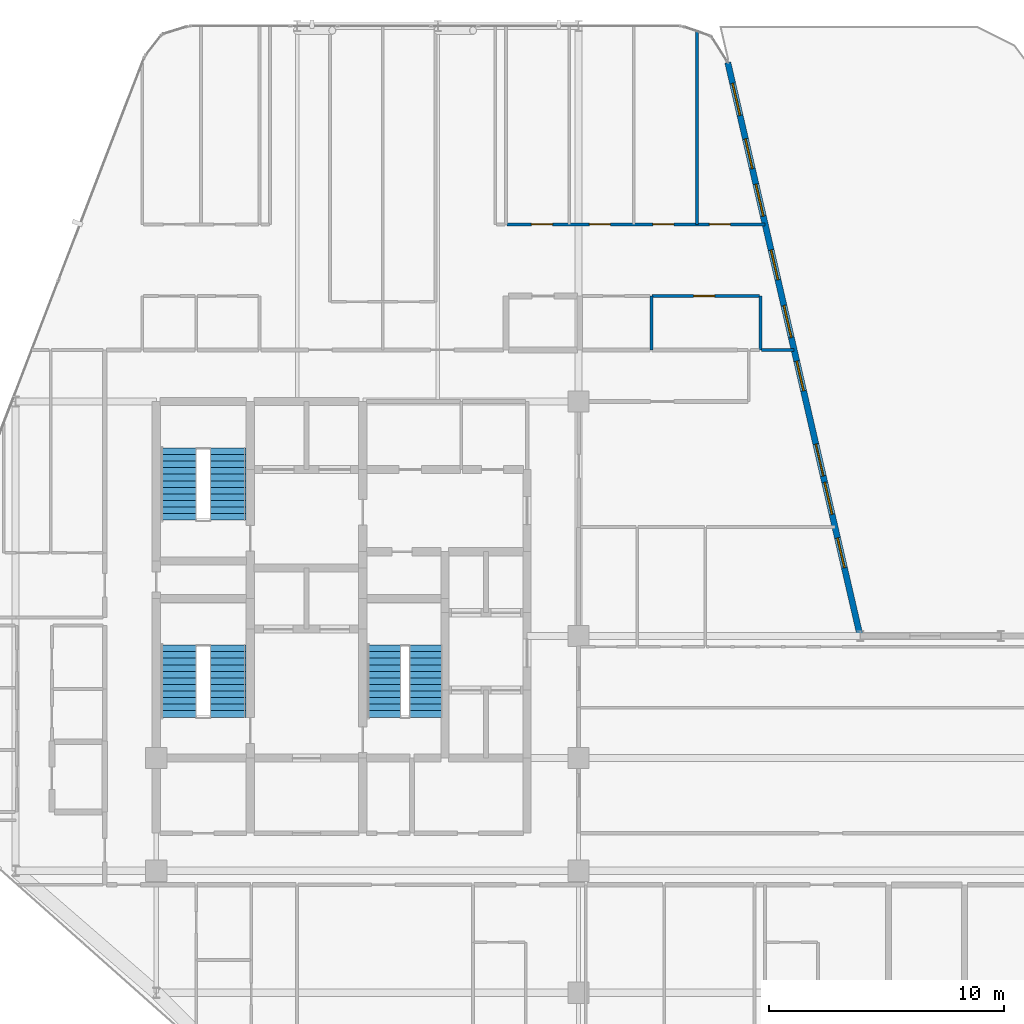
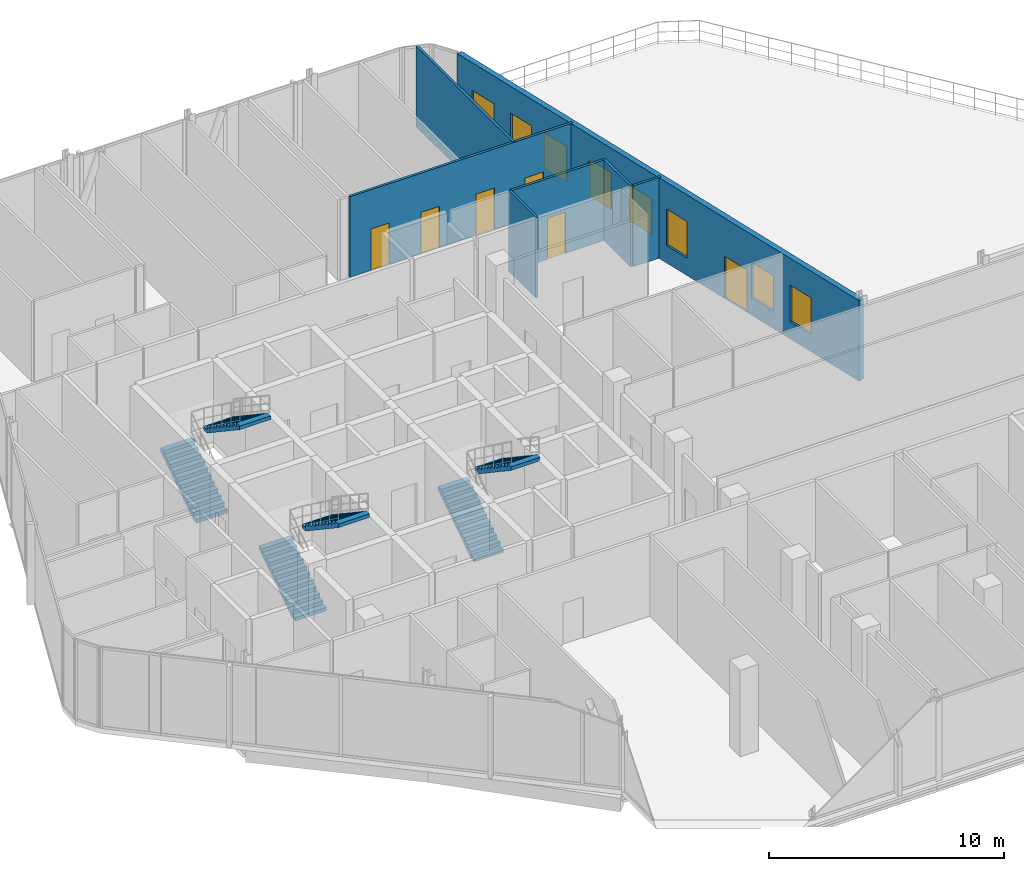
# One storey, part 26 of 28: 8 windows, 7 walls, 6 doors, 6 stair flights, 14 openings, 3 elements without a shape of their own.
"""IFC4 building model written with IfcOpenShell, lengths in metres."""

from ifc_helpers import new_model, si_unit, direction, frame, frame_2d, origin, place, context, subcontext, project, spatial, polyline, rectangle, outline, extrude, material, layer, layer_set, type_object, element, fill, aggregate, save


model = new_model("IFC4")

# Units and contexts
model_context = context("Model", 3, precision=1e-05, world=origin(), true_north=direction((0.0, 1.0)))
body_context = subcontext(model_context, "Body", "Model", "MODEL_VIEW")
ifc_project = project(units=[si_unit("LENGTHUNIT", "METRE"), si_unit("AREAUNIT", "SQUARE_METRE"), si_unit("VOLUMEUNIT", "CUBIC_METRE"), si_unit("PLANEANGLEUNIT", "RADIAN"), si_unit("MASSUNIT", "GRAM", prefix="KILO")], contexts=[model_context])

# Site, building, storey
site_placement = place(None, origin())
site = spatial("IfcSite", under=ifc_project, at=site_placement, CompositionType="ELEMENT")
building_placement = place(site_placement, origin())
building = spatial("IfcBuilding", under=site, at=building_placement, Name="Keshet Zoharim Tower", CompositionType="ELEMENT")
storey_placement = place(building_placement, frame((0.0, 0.0, 164.60009765625)))
storey = spatial("IfcBuildingStorey", under=building, at=storey_placement, Name="L40", CompositionType="ELEMENT", Elevation=164.60009765625)

# Wall, openings, door, windows
ifc_material_1 = material(Name="Concrete C50/60 precast", Category="concrete")
ifc_layer_1 = layer(ifc_material_1, 0.260009765625)
ifc_layer_set_1 = layer_set([ifc_layer_1], Name="Concrete C50/60 precast")
wall_type_1 = type_object("IfcWallType", Name="WL-EXT-260", PredefinedType="STANDARD", material=ifc_layer_set_1)
wall_1_placement = place(storey_placement, frame((39.35791015625, 52.35009765625, 0.0), z_axis=(0.0, 0.0, 1.0), x_axis=(0.224849558511, -0.974393491377, 0.0)))
wall_1 = element("IfcWall", 1, at=wall_1_placement, inside=storey, type_object=wall_type_1, Name="L40 Exterior Facade Wall 01", PredefinedType="STANDARD", context=body_context, shape_type="SweptSolid", body=[
    extrude(rectangle(XDim=25.0927734375, YDim=0.260009765625, at=frame_2d((12.54638671875, 0.0))), origin(), (0.0, 0.0, 1.0), 4.18994140625),
])
opening_1_placement = place(wall_1_placement, frame((16.68896484375, 0.0, 0.0)))
opening_1 = element("IfcOpeningElement", 2, at=opening_1_placement, cuts=wall_1, Name="Opening D-TR14", PredefinedType="OPENING", context=body_context, shape_type="SweptSolid", body=[
    extrude(rectangle(XDim=1.39990234375, YDim=2.199951171875, at=frame_2d((0.699951171875, 1.10009765625))), frame((0.0, 0.14013671875, 0.0), z_axis=(0.0, -1.0, 0.0), x_axis=(1.0, 0.0, 0.0)), (0.0, 0.0, 1.0), 0.280029296875),
])
opening_2_placement = place(wall_1_placement, frame((0.9150390625, 0.0, 0.89990234375)))
opening_2 = element("IfcOpeningElement", 3, at=opening_2_placement, cuts=wall_1, Name="Opening W-140", PredefinedType="OPENING", context=body_context, shape_type="SweptSolid", body=[
    extrude(rectangle(XDim=1.39990234375, YDim=1.85009765625, at=frame_2d((0.699951171875, 0.925048828125))), frame((0.0, 0.14013671875, 0.0), z_axis=(0.0, -1.0, 0.0), x_axis=(1.0, 0.0, 0.0)), (0.0, 0.0, 1.0), 0.280029296875),
])
opening_3_placement = place(wall_1_placement, frame((3.343994140625, 0.0, 0.89990234375)))
opening_3 = element("IfcOpeningElement", 4, at=opening_3_placement, cuts=wall_1, Name="Opening W-130", PredefinedType="OPENING", context=body_context, shape_type="SweptSolid", body=[
    extrude(rectangle(XDim=1.300048828125, YDim=1.89990234375, at=frame_2d((0.64990234375, 0.949951171875))), frame((0.0, 0.14013671875, 0.0), z_axis=(0.0, -1.0, 0.0), x_axis=(1.0, 0.0, 0.0)), (0.0, 0.0, 1.0), 0.280029296875),
])
opening_4_placement = place(wall_1_placement, frame((5.322998046875, 0.0, 0.89990234375)))
opening_4 = element("IfcOpeningElement", 5, at=opening_4_placement, cuts=wall_1, Name="Opening W-140", PredefinedType="OPENING", context=body_context, shape_type="SweptSolid", body=[
    extrude(rectangle(XDim=1.39990234375, YDim=1.85009765625, at=frame_2d((0.699951171875, 0.925048828125))), frame((0.0, 0.14013671875, 0.0), z_axis=(0.0, -1.0, 0.0), x_axis=(1.0, 0.0, 0.0)), (0.0, 0.0, 1.0), 0.280029296875),
])
opening_5_placement = place(wall_1_placement, frame((8.201904296875, 0.0, 0.89990234375)))
opening_5 = element("IfcOpeningElement", 6, at=opening_5_placement, cuts=wall_1, Name="Opening W-130", PredefinedType="OPENING", context=body_context, shape_type="SweptSolid", body=[
    extrude(rectangle(XDim=1.300048828125, YDim=1.89990234375, at=frame_2d((0.64990234375, 0.949951171875))), frame((0.0, 0.14013671875, 0.0), z_axis=(0.0, -1.0, 0.0), x_axis=(1.0, 0.0, 0.0)), (0.0, 0.0, 1.0), 0.280029296875),
])
opening_6_placement = place(wall_1_placement, frame((10.632080078125, 0.0, 0.89990234375)))
opening_6 = element("IfcOpeningElement", 7, at=opening_6_placement, cuts=wall_1, Name="Opening W-140", PredefinedType="OPENING", context=body_context, shape_type="SweptSolid", body=[
    extrude(rectangle(XDim=1.39990234375, YDim=1.85009765625, at=frame_2d((0.699951171875, 0.925048828125))), frame((0.0, 0.14013671875, 0.0), z_axis=(0.0, -1.0, 0.0), x_axis=(1.0, 0.0, 0.0)), (0.0, 0.0, 1.0), 0.280029296875),
])
opening_7_placement = place(wall_1_placement, frame((13.06103515625, 0.0, 0.89990234375)))
opening_7 = element("IfcOpeningElement", 8, at=opening_7_placement, cuts=wall_1, Name="Opening W-130", PredefinedType="OPENING", context=body_context, shape_type="SweptSolid", body=[
    extrude(rectangle(XDim=1.300048828125, YDim=1.89990234375, at=frame_2d((0.64990234375, 0.949951171875))), frame((0.0, 0.14013671875, 0.0), z_axis=(0.0, -1.0, 0.0), x_axis=(1.0, 0.0, 0.0)), (0.0, 0.0, 1.0), 0.280029296875),
])
opening_8_placement = place(wall_1_placement, frame((18.368896484375, 0.0, 0.89990234375)))
opening_8 = element("IfcOpeningElement", 9, at=opening_8_placement, cuts=wall_1, Name="Opening W-140", PredefinedType="OPENING", context=body_context, shape_type="SweptSolid", body=[
    extrude(rectangle(XDim=1.39990234375, YDim=1.85009765625, at=frame_2d((0.699951171875, 0.925048828125))), frame((0.0, 0.14013671875, 0.0), z_axis=(0.0, -1.0, 0.0), x_axis=(1.0, 0.0, 0.0)), (0.0, 0.0, 1.0), 0.280029296875),
])
opening_9_placement = place(wall_1_placement, frame((20.799072265625, 0.0, 0.89990234375)))
opening_9 = element("IfcOpeningElement", 10, at=opening_9_placement, cuts=wall_1, Name="Opening W-130", PredefinedType="OPENING", context=body_context, shape_type="SweptSolid", body=[
    extrude(rectangle(XDim=1.300048828125, YDim=1.89990234375, at=frame_2d((0.64990234375, 0.949951171875))), frame((0.0, 0.14013671875, 0.0), z_axis=(0.0, -1.0, 0.0), x_axis=(1.0, 0.0, 0.0)), (0.0, 0.0, 1.0), 0.280029296875),
])
ifc_material_2 = material(Name="Aluminium 6063-T6", Category="aluminium")
door_type_1 = type_object("IfcDoorType", Name="DR-TER-140", OperationType="DOUBLE_DOOR_SINGLE_SWING", PredefinedType="DOOR", material=ifc_material_2)
door_1_placement = place(opening_1_placement, origin())
door_1 = element("IfcDoor", 11, at=door_1_placement, inside=storey, type_object=door_type_1, Name="L40 Sky Terrace Access Door 01", OperationType="DOUBLE_DOOR_SINGLE_SWING", OverallHeight=2.199951171875, OverallWidth=1.39990234375, PredefinedType="DOOR", context=body_context, shape_type="SweptSolid", body=[
    extrude(rectangle(XDim=1.39990234375, YDim=2.199951171875, at=frame_2d((0.699951171875, 1.10009765625))), frame((0.0, 0.02490234375, 0.0), z_axis=(0.0, -1.0, 0.0), x_axis=(1.0, 0.0, 0.0)), (0.0, 0.0, 1.0), 0.050048828125),
])
fill(opening_1, door_1)
ifc_material_3 = material(Name="Insulated Low-E Clear Glass", Category="glass")
window_type_1 = type_object("IfcWindowType", Name="WN-CRN-130", PartitioningType="SINGLE_PANEL", PredefinedType="WINDOW", material=ifc_material_3)
window_1_placement = place(opening_3_placement, origin())
window_1 = element("IfcWindow", 12, at=window_1_placement, inside=storey, type_object=window_type_1, Name="L40 Terrace Side Window 02", OverallHeight=1.89990234375, OverallWidth=1.300048828125, PartitioningType="SINGLE_PANEL", PredefinedType="WINDOW", context=body_context, shape_type="SweptSolid", body=[
    extrude(rectangle(XDim=1.300048828125, YDim=1.89990234375, at=frame_2d((0.64990234375, 0.949951171875))), frame((0.0, 0.030029296875, 0.0), z_axis=(0.0, -1.0, 0.0), x_axis=(1.0, 0.0, 0.0)), (0.0, 0.0, 1.0), 0.06005859375),
])
fill(opening_3, window_1)
window_2_placement = place(opening_5_placement, origin())
window_2 = element("IfcWindow", 13, at=window_2_placement, inside=storey, type_object=window_type_1, Name="L40 Terrace Side Window 04", OverallHeight=1.89990234375, OverallWidth=1.300048828125, PartitioningType="SINGLE_PANEL", PredefinedType="WINDOW", context=body_context, shape_type="SweptSolid", body=[
    extrude(rectangle(XDim=1.300048828125, YDim=1.89990234375, at=frame_2d((0.64990234375, 0.949951171875))), frame((0.0, 0.030029296875, 0.0), z_axis=(0.0, -1.0, 0.0), x_axis=(1.0, 0.0, 0.0)), (0.0, 0.0, 1.0), 0.06005859375),
])
fill(opening_5, window_2)
window_3_placement = place(opening_7_placement, origin())
window_3 = element("IfcWindow", 14, at=window_3_placement, inside=storey, type_object=window_type_1, Name="L40 Terrace Side Window 06", OverallHeight=1.89990234375, OverallWidth=1.300048828125, PartitioningType="SINGLE_PANEL", PredefinedType="WINDOW", context=body_context, shape_type="SweptSolid", body=[
    extrude(rectangle(XDim=1.300048828125, YDim=1.89990234375, at=frame_2d((0.64990234375, 0.949951171875))), frame((0.0, 0.030029296875, 0.0), z_axis=(0.0, -1.0, 0.0), x_axis=(1.0, 0.0, 0.0)), (0.0, 0.0, 1.0), 0.06005859375),
])
fill(opening_7, window_3)
window_4_placement = place(opening_9_placement, origin())
window_4 = element("IfcWindow", 15, at=window_4_placement, inside=storey, type_object=window_type_1, Name="L40 Terrace Side Window 08", OverallHeight=1.89990234375, OverallWidth=1.300048828125, PartitioningType="SINGLE_PANEL", PredefinedType="WINDOW", context=body_context, shape_type="SweptSolid", body=[
    extrude(rectangle(XDim=1.300048828125, YDim=1.89990234375, at=frame_2d((0.64990234375, 0.949951171875))), frame((0.0, 0.030029296875, 0.0), z_axis=(0.0, -1.0, 0.0), x_axis=(1.0, 0.0, 0.0)), (0.0, 0.0, 1.0), 0.06005859375),
])
fill(opening_9, window_4)
window_type_2 = type_object("IfcWindowType", Name="WN-TER-140", PartitioningType="SINGLE_PANEL", PredefinedType="WINDOW", material=ifc_material_3)
window_5_placement = place(opening_2_placement, origin())
window_5 = element("IfcWindow", 16, at=window_5_placement, inside=storey, type_object=window_type_2, Name="L40 Terrace Side Window 01", OverallHeight=1.85009765625, OverallWidth=1.39990234375, PartitioningType="SINGLE_PANEL", PredefinedType="WINDOW", context=body_context, shape_type="SweptSolid", body=[
    extrude(rectangle(XDim=1.39990234375, YDim=1.85009765625, at=frame_2d((0.699951171875, 0.925048828125))), frame((0.0, 0.030029296875, 0.0), z_axis=(0.0, -1.0, 0.0), x_axis=(1.0, 0.0, 0.0)), (0.0, 0.0, 1.0), 0.06005859375),
])
fill(opening_2, window_5)
window_6_placement = place(opening_4_placement, origin())
window_6 = element("IfcWindow", 17, at=window_6_placement, inside=storey, type_object=window_type_2, Name="L40 Terrace Side Window 03", OverallHeight=1.85009765625, OverallWidth=1.39990234375, PartitioningType="SINGLE_PANEL", PredefinedType="WINDOW", context=body_context, shape_type="SweptSolid", body=[
    extrude(rectangle(XDim=1.39990234375, YDim=1.85009765625, at=frame_2d((0.699951171875, 0.925048828125))), frame((0.0, 0.030029296875, 0.0), z_axis=(0.0, -1.0, 0.0), x_axis=(1.0, 0.0, 0.0)), (0.0, 0.0, 1.0), 0.06005859375),
])
fill(opening_4, window_6)
window_7_placement = place(opening_6_placement, origin())
window_7 = element("IfcWindow", 18, at=window_7_placement, inside=storey, type_object=window_type_2, Name="L40 Terrace Side Window 05", OverallHeight=1.85009765625, OverallWidth=1.39990234375, PartitioningType="SINGLE_PANEL", PredefinedType="WINDOW", context=body_context, shape_type="SweptSolid", body=[
    extrude(rectangle(XDim=1.39990234375, YDim=1.85009765625, at=frame_2d((0.699951171875, 0.925048828125))), frame((0.0, 0.030029296875, 0.0), z_axis=(0.0, -1.0, 0.0), x_axis=(1.0, 0.0, 0.0)), (0.0, 0.0, 1.0), 0.06005859375),
])
fill(opening_6, window_7)
window_8_placement = place(opening_8_placement, origin())
window_8 = element("IfcWindow", 19, at=window_8_placement, inside=storey, type_object=window_type_2, Name="L40 Terrace Side Window 07", OverallHeight=1.85009765625, OverallWidth=1.39990234375, PartitioningType="SINGLE_PANEL", PredefinedType="WINDOW", context=body_context, shape_type="SweptSolid", body=[
    extrude(rectangle(XDim=1.39990234375, YDim=1.85009765625, at=frame_2d((0.699951171875, 0.925048828125))), frame((0.0, 0.030029296875, 0.0), z_axis=(0.0, -1.0, 0.0), x_axis=(1.0, 0.0, 0.0)), (0.0, 0.0, 1.0), 0.06005859375),
])
fill(opening_8, window_8)

# Walls
ifc_material_4 = material(Name="Gypsum Plasterboard", Category="gypsum")
ifc_layer_2 = layer(ifc_material_4, 0.1201171875)
ifc_layer_set_2 = layer_set([ifc_layer_2], Name="Gypsum Plasterboard")
wall_type_2 = type_object("IfcWallType", Name="WL-PART-120", PredefinedType="PARTITIONING", material=ifc_layer_set_2)
wall_2_placement = place(storey_placement, frame((38.050048828125, 45.449951171875, 0.0), z_axis=(0.0, 0.0, 1.0), x_axis=(0.0, 1.0, 0.0)))
element("IfcWall", 20, at=wall_2_placement, inside=storey, type_object=wall_type_2, Name="L40 Interior Wall 081", PredefinedType="PARTITIONING", context=body_context, shape_type="SweptSolid", body=[
    extrude(rectangle(XDim=8.216064453125, YDim=0.1201171875, at=frame_2d((4.10791015625, 0.0))), origin(), (0.0, 0.0, 1.0), 4.18994140625),
])
wall_3_placement = place(storey_placement, frame((40.75, 40.10009765625, 0.0), z_axis=(0.0, 0.0, 1.0), x_axis=(0.0, 1.0, 0.0)))
element("IfcWall", 21, at=wall_3_placement, inside=storey, type_object=wall_type_2, Name="L40 Interior Wall 087", PredefinedType="PARTITIONING", context=body_context, shape_type="SweptSolid", body=[
    extrude(rectangle(XDim=2.2998046875, YDim=0.1201171875, at=frame_2d((1.14990234375, 0.0))), origin(), (0.0, 0.0, 1.0), 4.18994140625),
])
wall_4_placement = place(storey_placement, frame((40.797119140625, 40.10009765625, 0.0), z_axis=(0.0, 0.0, 1.0), x_axis=(1.0, 0.0, 0.0)))
element("IfcWall", 22, at=wall_4_placement, inside=storey, type_object=wall_type_2, Name="L40 Interior Wall 188", PredefinedType="PARTITIONING", context=body_context, shape_type="SweptSolid", body=[
    extrude(rectangle(XDim=1.3779296875, YDim=0.1201171875, at=frame_2d((0.68896484375, 0.0))), origin(), (0.0, 0.0, 1.0), 4.18994140625),
])

# Wall, opening, door
wall_5_placement = place(storey_placement, frame((36.135009765625, 42.39990234375, 0.0), z_axis=(0.0, 0.0, 1.0), x_axis=(1.0, 0.0, 0.0)))
wall_5 = element("IfcWall", 23, at=wall_5_placement, inside=storey, type_object=wall_type_2, Name="L40 Interior Wall 194", PredefinedType="PARTITIONING", context=body_context, shape_type="SweptSolid", body=[
    extrude(rectangle(XDim=4.572021484375, YDim=0.1201171875, at=frame_2d((2.2861328125, 0.0))), origin(), (0.0, 0.0, 1.0), 4.18994140625),
])
opening_10_placement = place(wall_5_placement, frame((1.764892578125, 0.0, 0.0)))
opening_10 = element("IfcOpeningElement", 24, at=opening_10_placement, cuts=wall_5, Name="Opening D-IN90", PredefinedType="OPENING", context=body_context, shape_type="SweptSolid", body=[
    extrude(rectangle(XDim=0.89990234375, YDim=2.14990234375, at=frame_2d((0.449951171875, 1.074951171875))), frame((0.0, 0.070068359375, 0.0), z_axis=(0.0, -1.0, 0.0), x_axis=(1.0, 0.0, 0.0)), (0.0, 0.0, 1.0), 0.14013671875),
])
ifc_material_5 = material(Name="Hardwood Timber", Category="wood")
door_type_2 = type_object("IfcDoorType", Name="DR-INT-090", OperationType="NOTDEFINED", PredefinedType="DOOR", material=ifc_material_5)
door_2_placement = place(opening_10_placement, origin())
door_2 = element("IfcDoor", 25, at=door_2_placement, inside=storey, type_object=door_type_2, Name="Apartment 4005 Kitchen Door", OperationType="SINGLE_SWING_LEFT", OverallHeight=2.14990234375, OverallWidth=0.89990234375, PredefinedType="DOOR", context=body_context, shape_type="SweptSolid", body=[
    extrude(rectangle(XDim=0.89990234375, YDim=2.14990234375, at=frame_2d((0.449951171875, 1.074951171875))), frame((0.0, 0.02490234375, 0.0), z_axis=(0.0, -1.0, 0.0), x_axis=(1.0, 0.0, 0.0)), (0.0, 0.0, 1.0), 0.050048828125),
])
fill(opening_10, door_2)

# Wall, openings, doors
wall_6_placement = place(storey_placement, frame((29.955078125, 45.449951171875, 0.0), z_axis=(0.0, 0.0, 1.0), x_axis=(1.0, 0.0, 0.0)))
wall_6 = element("IfcWall", 26, at=wall_6_placement, inside=storey, type_object=wall_type_2, Name="L40 Interior Wall 198", PredefinedType="PARTITIONING", context=body_context, shape_type="SweptSolid", body=[
    extrude(rectangle(XDim=10.98486328125, YDim=0.1201171875, at=frame_2d((5.492431640625, 0.0))), origin(), (0.0, 0.0, 1.0), 4.18994140625),
])
opening_11_placement = place(wall_6_placement, frame((1.034912109375, 0.0, 0.0)))
opening_11 = element("IfcOpeningElement", 27, at=opening_11_placement, cuts=wall_6, Name="Opening D-IN90", PredefinedType="OPENING", context=body_context, shape_type="SweptSolid", body=[
    extrude(rectangle(XDim=0.89990234375, YDim=2.14990234375, at=frame_2d((0.449951171875, 1.074951171875))), frame((0.0, 0.070068359375, 0.0), z_axis=(0.0, -1.0, 0.0), x_axis=(1.0, 0.0, 0.0)), (0.0, 0.0, 1.0), 0.14013671875),
])
opening_12_placement = place(wall_6_placement, frame((3.498046875, 0.0, 0.0)))
opening_12 = element("IfcOpeningElement", 28, at=opening_12_placement, cuts=wall_6, Name="Opening D-IN90", PredefinedType="OPENING", context=body_context, shape_type="SweptSolid", body=[
    extrude(rectangle(XDim=0.89990234375, YDim=2.14990234375, at=frame_2d((0.449951171875, 1.074951171875))), frame((0.0, 0.070068359375, 0.0), z_axis=(0.0, -1.0, 0.0), x_axis=(1.0, 0.0, 0.0)), (0.0, 0.0, 1.0), 0.14013671875),
])
opening_13_placement = place(wall_6_placement, frame((6.2080078125, 0.0, 0.0)))
opening_13 = element("IfcOpeningElement", 29, at=opening_13_placement, cuts=wall_6, Name="Opening D-IN90", PredefinedType="OPENING", context=body_context, shape_type="SweptSolid", body=[
    extrude(rectangle(XDim=0.89990234375, YDim=2.14990234375, at=frame_2d((0.449951171875, 1.074951171875))), frame((0.0, 0.070068359375, 0.0), z_axis=(0.0, -1.0, 0.0), x_axis=(1.0, 0.0, 0.0)), (0.0, 0.0, 1.0), 0.14013671875),
])
opening_14_placement = place(wall_6_placement, frame((8.617919921875, 0.0, 0.0)))
opening_14 = element("IfcOpeningElement", 30, at=opening_14_placement, cuts=wall_6, Name="Opening D-IN90", PredefinedType="OPENING", context=body_context, shape_type="SweptSolid", body=[
    extrude(rectangle(XDim=0.89990234375, YDim=2.14990234375, at=frame_2d((0.449951171875, 1.074951171875))), frame((0.0, 0.070068359375, 0.0), z_axis=(0.0, -1.0, 0.0), x_axis=(1.0, 0.0, 0.0)), (0.0, 0.0, 1.0), 0.14013671875),
])
door_3_placement = place(opening_11_placement, origin())
door_3 = element("IfcDoor", 31, at=door_3_placement, inside=storey, type_object=door_type_2, Name="Apartment 4005 Bedroom 1 Door", OperationType="SINGLE_SWING_RIGHT", OverallHeight=2.14990234375, OverallWidth=0.89990234375, PredefinedType="DOOR", context=body_context, shape_type="SweptSolid", body=[
    extrude(rectangle(XDim=0.89990234375, YDim=2.14990234375, at=frame_2d((0.449951171875, 1.074951171875))), frame((0.0, 0.02490234375, 0.0), z_axis=(0.0, -1.0, 0.0), x_axis=(1.0, 0.0, 0.0)), (0.0, 0.0, 1.0), 0.050048828125),
])
fill(opening_11, door_3)
door_4_placement = place(opening_12_placement, origin())
door_4 = element("IfcDoor", 32, at=door_4_placement, inside=storey, type_object=door_type_2, Name="Apartment 4005 Bedroom 2 Door", OperationType="SINGLE_SWING_LEFT", OverallHeight=2.14990234375, OverallWidth=0.89990234375, PredefinedType="DOOR", context=body_context, shape_type="SweptSolid", body=[
    extrude(rectangle(XDim=0.89990234375, YDim=2.14990234375, at=frame_2d((0.449951171875, 1.074951171875))), frame((0.0, 0.02490234375, 0.0), z_axis=(0.0, -1.0, 0.0), x_axis=(1.0, 0.0, 0.0)), (0.0, 0.0, 1.0), 0.050048828125),
])
fill(opening_12, door_4)
door_5_placement = place(opening_13_placement, origin())
door_5 = element("IfcDoor", 33, at=door_5_placement, inside=storey, type_object=door_type_2, Name="Apartment 4005 Bedroom 3 Door", OperationType="SINGLE_SWING_RIGHT", OverallHeight=2.14990234375, OverallWidth=0.89990234375, PredefinedType="DOOR", context=body_context, shape_type="SweptSolid", body=[
    extrude(rectangle(XDim=0.89990234375, YDim=2.14990234375, at=frame_2d((0.449951171875, 1.074951171875))), frame((0.0, 0.02490234375, 0.0), z_axis=(0.0, -1.0, 0.0), x_axis=(1.0, 0.0, 0.0)), (0.0, 0.0, 1.0), 0.050048828125),
])
fill(opening_13, door_5)
door_6_placement = place(opening_14_placement, origin())
door_6 = element("IfcDoor", 34, at=door_6_placement, inside=storey, type_object=door_type_2, Name="Apartment 4005 Bedroom 4 Door", OperationType="SINGLE_SWING_LEFT", OverallHeight=2.14990234375, OverallWidth=0.89990234375, PredefinedType="DOOR", context=body_context, shape_type="SweptSolid", body=[
    extrude(rectangle(XDim=0.89990234375, YDim=2.14990234375, at=frame_2d((0.449951171875, 1.074951171875))), frame((0.0, 0.02490234375, 0.0), z_axis=(0.0, -1.0, 0.0), x_axis=(1.0, 0.0, 0.0)), (0.0, 0.0, 1.0), 0.050048828125),
])
fill(opening_14, door_6)

# Wall
ifc_layer_3 = layer(ifc_material_4, 0.1201171875)
ifc_layer_set_3 = layer_set([ifc_layer_3], Name="Gypsum Plasterboard")
wall_type_3 = type_object("IfcWallType", Name="WL-WET-120", PredefinedType="PARTITIONING", material=ifc_layer_set_3)
wall_7_placement = place(storey_placement, frame((36.10009765625, 40.10009765625, 0.0), z_axis=(0.0, 0.0, 1.0), x_axis=(0.0, 1.0, 0.0)))
element("IfcWall", 35, at=wall_7_placement, inside=storey, type_object=wall_type_3, Name="L40 Interior Wall 079", PredefinedType="PARTITIONING", context=body_context, shape_type="SweptSolid", body=[
    extrude(rectangle(XDim=2.2998046875, YDim=0.1201171875, at=frame_2d((1.14990234375, 0.0))), origin(), (0.0, 0.0, 1.0), 4.18994140625),
])

# Stair, stair flights
ifc_material_6 = material(Name="Concrete C50/60", Category="concrete")
stair_type = type_object("IfcStairType", Name="STR-EXIT-135", PredefinedType="HALF_TURN_STAIR", material=ifc_material_6)
stair_1_placement = place(storey_placement, origin())
stair_1 = element("IfcStair", 36, at=stair_1_placement, inside=storey, type_object=stair_type, Name="L40 Enclosed Exit Stair ST-01", PredefinedType="HALF_TURN_STAIR")
stair_flight_type_1 = type_object("IfcStairFlightType", Name="FLT-PRE-135", PredefinedType="STRAIGHT", material=ifc_material_6)
stair_flight_1_placement = place(storey_placement, frame((15.945068359375, 24.43994140625, 0.0), z_axis=(0.0, 0.0, 1.0), x_axis=(0.0, 1.0, 0.0)))
stair_flight_1 = element("IfcStairFlight", 37, at=stair_flight_1_placement, type_object=stair_flight_type_1, Name="ST-01 flight 1", NumberOfRisers=12, NumberOfTreads=11, PredefinedType="STRAIGHT", RiserHeight=0.1875, TreadLength=0.28, context=body_context, shape_type="SweptSolid", body=[
    extrude(outline(polyline([(0.0, 0.0), (0.0, 0.1875), (0.280029296875, 0.1875), (0.280029296875, 0.375), (0.56005859375, 0.375), (0.56005859375, 0.5625), (0.840087890625, 0.5625), (0.840087890625, 0.75), (1.1201171875, 0.75), (1.1201171875, 0.9375), (1.39990234375, 0.9375), (1.39990234375, 1.125), (1.679931640625, 1.125), (1.679931640625, 1.3125), (1.9599609375, 1.3125), (1.9599609375, 1.5), (2.239990234375, 1.5), (2.239990234375, 1.6875), (2.52001953125, 1.6875), (2.52001953125, 1.875), (2.800048828125, 1.875), (2.800048828125, 2.0625), (3.080078125, 2.0625), (3.080078125, 2.25), (3.080078125, 1.8701171875), (0.287353515625, 0.0), (0.0, 0.0)])), frame((0.0, 0.76513671875, 0.0), z_axis=(0.0, -1.0, 0.0), x_axis=(1.0, 0.0, 0.0)), (0.0, 0.0, 1.0), 1.530029296875),
])
stair_flight_2_placement = place(storey_placement, frame((18.054931640625, 27.52001953125, 2.25), z_axis=(0.0, 0.0, 1.0), x_axis=(0.0, -1.0, 0.0)))
stair_flight_2 = element("IfcStairFlight", 38, at=stair_flight_2_placement, type_object=stair_flight_type_1, Name="ST-01 flight 2", NumberOfRisers=12, NumberOfTreads=11, PredefinedType="STRAIGHT", RiserHeight=0.1875, TreadLength=0.28, context=body_context, shape_type="SweptSolid", body=[
    extrude(outline(polyline([(0.0, 0.0), (0.0, 0.1875), (0.280029296875, 0.1875), (0.280029296875, 0.375), (0.56005859375, 0.375), (0.56005859375, 0.5625), (0.840087890625, 0.5625), (0.840087890625, 0.75), (1.1201171875, 0.75), (1.1201171875, 0.9375), (1.39990234375, 0.9375), (1.39990234375, 1.125), (1.679931640625, 1.125), (1.679931640625, 1.3125), (1.9599609375, 1.3125), (1.9599609375, 1.5), (2.239990234375, 1.5), (2.239990234375, 1.6875), (2.52001953125, 1.6875), (2.52001953125, 1.875), (2.800048828125, 1.875), (2.800048828125, 2.0625), (3.080078125, 2.0625), (3.080078125, 2.25), (3.080078125, 1.8701171875), (0.287353515625, 0.0), (0.0, 0.0)])), frame((0.0, 0.76513671875, 0.0), z_axis=(0.0, -1.0, 0.0), x_axis=(1.0, 0.0, 0.0)), (0.0, 0.0, 1.0), 1.530029296875),
])
aggregate(stair_1, [stair_flight_1, stair_flight_2])

stair_2_placement = place(storey_placement, origin())
stair_2 = element("IfcStair", 39, at=stair_2_placement, inside=storey, type_object=stair_type, Name="L40 Enclosed Exit Stair ST-02", PredefinedType="HALF_TURN_STAIR")
stair_flight_3_placement = place(storey_placement, frame((15.945068359375, 32.840087890625, 0.0), z_axis=(0.0, 0.0, 1.0), x_axis=(0.0, 1.0, 0.0)))
stair_flight_3 = element("IfcStairFlight", 40, at=stair_flight_3_placement, type_object=stair_flight_type_1, Name="ST-02 flight 1", NumberOfRisers=12, NumberOfTreads=11, PredefinedType="STRAIGHT", RiserHeight=0.1875, TreadLength=0.28, context=body_context, shape_type="SweptSolid", body=[
    extrude(outline(polyline([(0.0, 0.0), (0.0, 0.1875), (0.280029296875, 0.1875), (0.280029296875, 0.375), (0.56005859375, 0.375), (0.56005859375, 0.5625), (0.840087890625, 0.5625), (0.840087890625, 0.75), (1.1201171875, 0.75), (1.1201171875, 0.9375), (1.39990234375, 0.9375), (1.39990234375, 1.125), (1.679931640625, 1.125), (1.679931640625, 1.3125), (1.9599609375, 1.3125), (1.9599609375, 1.5), (2.239990234375, 1.5), (2.239990234375, 1.6875), (2.52001953125, 1.6875), (2.52001953125, 1.875), (2.800048828125, 1.875), (2.800048828125, 2.0625), (3.080078125, 2.0625), (3.080078125, 2.25), (3.080078125, 1.8701171875), (0.287353515625, 0.0), (0.0, 0.0)])), frame((0.0, 0.76513671875, 0.0), z_axis=(0.0, -1.0, 0.0), x_axis=(1.0, 0.0, 0.0)), (0.0, 0.0, 1.0), 1.530029296875),
])
stair_flight_4_placement = place(storey_placement, frame((18.054931640625, 35.919921875, 2.25), z_axis=(0.0, 0.0, 1.0), x_axis=(0.0, -1.0, 0.0)))
stair_flight_4 = element("IfcStairFlight", 41, at=stair_flight_4_placement, type_object=stair_flight_type_1, Name="ST-02 flight 2", NumberOfRisers=12, NumberOfTreads=11, PredefinedType="STRAIGHT", RiserHeight=0.1875, TreadLength=0.28, context=body_context, shape_type="SweptSolid", body=[
    extrude(outline(polyline([(0.0, 0.0), (0.0, 0.1875), (0.280029296875, 0.1875), (0.280029296875, 0.375), (0.56005859375, 0.375), (0.56005859375, 0.5625), (0.840087890625, 0.5625), (0.840087890625, 0.75), (1.1201171875, 0.75), (1.1201171875, 0.9375), (1.39990234375, 0.9375), (1.39990234375, 1.125), (1.679931640625, 1.125), (1.679931640625, 1.3125), (1.9599609375, 1.3125), (1.9599609375, 1.5), (2.239990234375, 1.5), (2.239990234375, 1.6875), (2.52001953125, 1.6875), (2.52001953125, 1.875), (2.800048828125, 1.875), (2.800048828125, 2.0625), (3.080078125, 2.0625), (3.080078125, 2.25), (3.080078125, 1.8701171875), (0.287353515625, 0.0), (0.0, 0.0)])), frame((0.0, 0.76513671875, 0.0), z_axis=(0.0, -1.0, 0.0), x_axis=(1.0, 0.0, 0.0)), (0.0, 0.0, 1.0), 1.530029296875),
])
aggregate(stair_2, [stair_flight_3, stair_flight_4])

stair_3_placement = place(storey_placement, origin())
stair_3 = element("IfcStair", 42, at=stair_3_placement, inside=storey, type_object=stair_type, Name="L40 Enclosed Exit Stair ST-03", PredefinedType="HALF_TURN_STAIR")
stair_flight_type_2 = type_object("IfcStairFlightType", Name="FLT-PRE-144", PredefinedType="STRAIGHT", material=ifc_material_6)
stair_flight_5_placement = place(storey_placement, frame((24.699951171875, 24.43994140625, 0.0), z_axis=(0.0, 0.0, 1.0), x_axis=(0.0, 1.0, 0.0)))
stair_flight_5 = element("IfcStairFlight", 43, at=stair_flight_5_placement, type_object=stair_flight_type_2, Name="ST-03 flight 1", NumberOfRisers=12, NumberOfTreads=11, PredefinedType="STRAIGHT", RiserHeight=0.1875, TreadLength=0.28, context=body_context, shape_type="SweptSolid", body=[
    extrude(outline(polyline([(0.0, 0.0), (0.0, 0.1875), (0.280029296875, 0.1875), (0.280029296875, 0.375), (0.56005859375, 0.375), (0.56005859375, 0.5625), (0.840087890625, 0.5625), (0.840087890625, 0.75), (1.1201171875, 0.75), (1.1201171875, 0.9375), (1.39990234375, 0.9375), (1.39990234375, 1.125), (1.679931640625, 1.125), (1.679931640625, 1.3125), (1.9599609375, 1.3125), (1.9599609375, 1.5), (2.239990234375, 1.5), (2.239990234375, 1.6875), (2.52001953125, 1.6875), (2.52001953125, 1.875), (2.800048828125, 1.875), (2.800048828125, 2.0625), (3.080078125, 2.0625), (3.080078125, 2.25), (3.080078125, 1.8701171875), (0.287353515625, 0.0), (0.0, 0.0)])), frame((0.0, 0.719970703125, 0.0), z_axis=(0.0, -1.0, 0.0), x_axis=(1.0, 0.0, 0.0)), (0.0, 0.0, 1.0), 1.43994140625),
])
stair_flight_6_placement = place(storey_placement, frame((26.5, 27.52001953125, 2.25), z_axis=(0.0, 0.0, 1.0), x_axis=(0.0, -1.0, 0.0)))
stair_flight_6 = element("IfcStairFlight", 44, at=stair_flight_6_placement, type_object=stair_flight_type_2, Name="ST-03 flight 2", NumberOfRisers=12, NumberOfTreads=11, PredefinedType="STRAIGHT", RiserHeight=0.1875, TreadLength=0.28, context=body_context, shape_type="SweptSolid", body=[
    extrude(outline(polyline([(0.0, 0.0), (0.0, 0.1875), (0.280029296875, 0.1875), (0.280029296875, 0.375), (0.56005859375, 0.375), (0.56005859375, 0.5625), (0.840087890625, 0.5625), (0.840087890625, 0.75), (1.1201171875, 0.75), (1.1201171875, 0.9375), (1.39990234375, 0.9375), (1.39990234375, 1.125), (1.679931640625, 1.125), (1.679931640625, 1.3125), (1.9599609375, 1.3125), (1.9599609375, 1.5), (2.239990234375, 1.5), (2.239990234375, 1.6875), (2.52001953125, 1.6875), (2.52001953125, 1.875), (2.800048828125, 1.875), (2.800048828125, 2.0625), (3.080078125, 2.0625), (3.080078125, 2.25), (3.080078125, 1.8701171875), (0.287353515625, 0.0), (0.0, 0.0)])), frame((0.0, 0.719970703125, 0.0), z_axis=(0.0, -1.0, 0.0), x_axis=(1.0, 0.0, 0.0)), (0.0, 0.0, 1.0), 1.43994140625),
])
aggregate(stair_3, [stair_flight_5, stair_flight_6])

save(model, "model.ifc")
